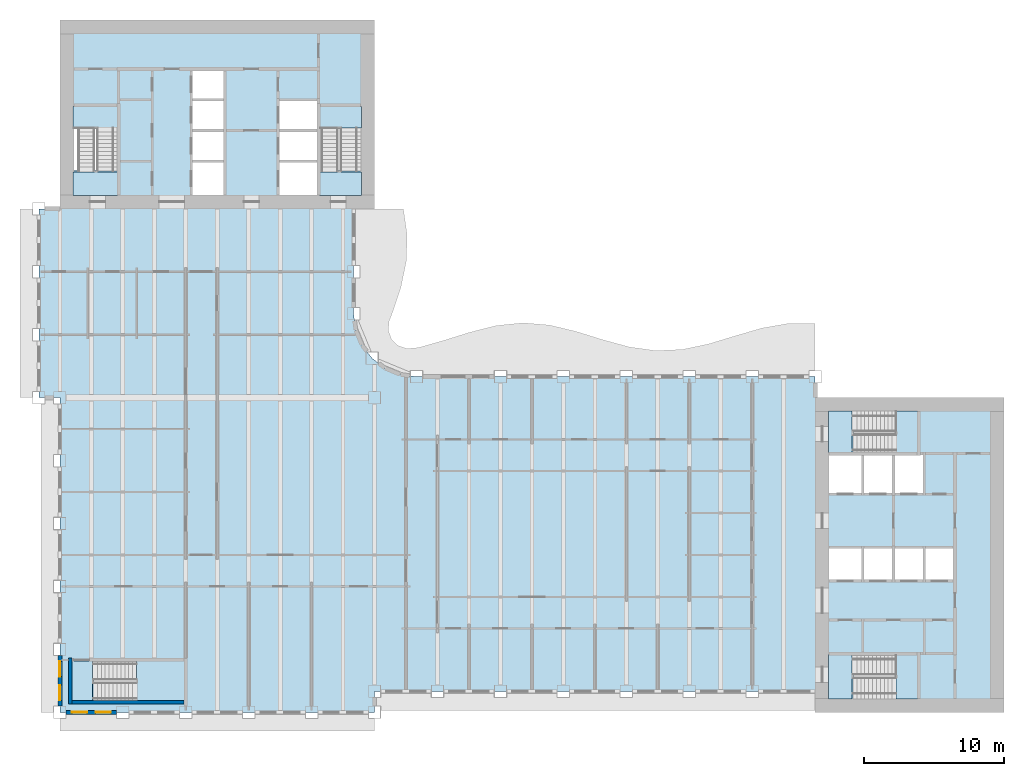
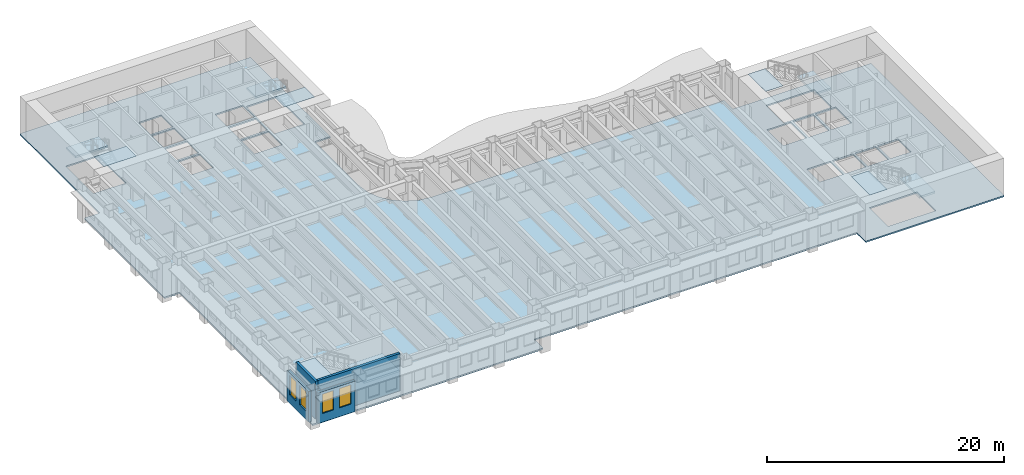
# One storey, part 2 of 16: 11 slabs, 4 walls, 4 windows, 4 openings, 5 elements without a shape of their own.
"""IFC4 building model written with IfcOpenShell, lengths in metres."""

from ifc_helpers import new_model, si_unit, direction, frame, frame_2d, origin, place, context, subcontext, project, spatial, polyline, rectangle, outline, extrude, material, layer, layer_set, type_object, element, fill, aggregate, save


model = new_model("IFC4")

# Units and contexts
model_context = context("Model", 3, precision=1e-05, world=origin(), true_north=direction((0.0, 1.0)))
body_context = subcontext(model_context, "Body", "Model", "MODEL_VIEW")
ifc_project = project(units=[si_unit("LENGTHUNIT", "METRE"), si_unit("AREAUNIT", "SQUARE_METRE"), si_unit("VOLUMEUNIT", "CUBIC_METRE"), si_unit("PLANEANGLEUNIT", "RADIAN"), si_unit("MASSUNIT", "GRAM", prefix="KILO")], contexts=[model_context])

# Site, building, storey
site_placement = place(None, origin())
site = spatial("IfcSite", under=ifc_project, at=site_placement, CompositionType="ELEMENT")
building_placement = place(site_placement, origin())
building = spatial("IfcBuilding", under=site, at=building_placement, Name="Sennacour Bend Tower", CompositionType="ELEMENT")
storey_placement = place(building_placement, frame((0.0, 0.0, 159.0)))
storey = spatial("IfcBuildingStorey", under=building, at=storey_placement, Name="L36", CompositionType="ELEMENT", Elevation=159.0)

# Slabs
ifc_material_1 = material(Name="Concrete C30/37", Category="concrete")
ifc_layer_1 = layer(ifc_material_1, 0.14990234375, Name="Concrete C30/37", Category="concrete")
ifc_layer_set_1 = layer_set([ifc_layer_1], Name="Concrete C30/37")
slab_type_1 = type_object("IfcSlabType", Name="Floor slab 150", PredefinedType="FLOOR", material=ifc_layer_set_1)
slab_1_placement = place(storey_placement, frame((0.0, 0.0, -0.14990234375)))
element("IfcSlab", 1, at=slab_1_placement, inside=storey, type_object=slab_type_1, Name="Floor slab L36-01", PredefinedType="FLOOR", context=body_context, shape_type="SweptSolid", body=[
    extrude(outline(polyline([(0.0, 22.5), (-1.5, 22.5), (-1.5, 36.0), (0.0, 36.0), (0.0, 49.5), (22.5, 49.5), (22.5, 36.0), (21.0, 36.0), (21.0, 28.5), (21.1533203125, 27.335205078125), (21.602783203125, 26.25), (22.318115234375, 25.318115234375), (23.25, 24.602783203125), (24.335205078125, 24.1533203125), (25.5, 24.0), (54.0, 24.0), (54.0, 22.5), (67.5, 22.5), (67.5, 0.0), (54.0, 0.0), (54.0, 1.5), (22.5, 1.5), (22.5, 0.0), (0.0, 0.0), (0.0, 22.5)]), holes=[polyline([(8.800048828125, 0.949951171875), (8.800048828125, 3.5), (2.429931640625, 3.5), (2.429931640625, 0.949951171875), (8.800048828125, 0.949951171875)]), polyline([(11.699951171875, 37.0), (11.699951171875, 39.300048828125), (9.5, 39.300048828125), (9.5, 37.0), (11.699951171875, 37.0)]), polyline([(18.39990234375, 37.0), (18.39990234375, 39.300048828125), (15.699951171875, 39.300048828125), (15.699951171875, 37.0), (18.39990234375, 37.0)]), polyline([(11.699951171875, 39.5), (11.699951171875, 41.5), (9.5, 41.5), (9.5, 39.5), (11.699951171875, 39.5)]), polyline([(18.39990234375, 39.5), (18.39990234375, 41.5), (15.699951171875, 41.5), (15.699951171875, 39.5), (18.39990234375, 39.5)]), polyline([(4.125, 38.72998046875), (4.125, 43.39990234375), (0.949951171875, 43.39990234375), (0.949951171875, 38.72998046875), (4.125, 38.72998046875)]), polyline([(21.550048828125, 38.72998046875), (21.550048828125, 43.39990234375), (18.574951171875, 43.39990234375), (18.574951171875, 38.72998046875), (21.550048828125, 38.72998046875)]), polyline([(9.5, 41.699951171875), (11.699951171875, 41.699951171875), (11.699951171875, 43.699951171875), (9.5, 43.699951171875), (9.5, 41.699951171875)]), polyline([(15.699951171875, 41.699951171875), (18.39990234375, 41.699951171875), (18.39990234375, 43.699951171875), (15.699951171875, 43.699951171875), (15.699951171875, 41.699951171875)]), polyline([(11.699951171875, 43.89990234375), (11.699951171875, 45.89990234375), (9.5, 45.89990234375), (9.5, 43.89990234375), (11.699951171875, 43.89990234375)]), polyline([(61.39990234375, 0.949951171875), (61.39990234375, 4.125), (56.72998046875, 4.125), (56.72998046875, 0.949951171875), (61.39990234375, 0.949951171875)]), polyline([(57.300048828125, 9.5), (57.300048828125, 11.699951171875), (55.0, 11.699951171875), (55.0, 9.5), (57.300048828125, 9.5)]), polyline([(57.5, 9.5), (59.5, 9.5), (59.5, 11.699951171875), (57.5, 11.699951171875), (57.5, 9.5)]), polyline([(59.699951171875, 9.5), (61.699951171875, 9.5), (61.699951171875, 11.699951171875), (59.699951171875, 11.699951171875), (59.699951171875, 9.5)]), polyline([(63.89990234375, 9.5), (63.89990234375, 11.699951171875), (61.89990234375, 11.699951171875), (61.89990234375, 9.5), (63.89990234375, 9.5)]), polyline([(57.300048828125, 15.699951171875), (57.300048828125, 18.39990234375), (55.0, 18.39990234375), (55.0, 15.699951171875), (57.300048828125, 15.699951171875)]), polyline([(59.5, 15.699951171875), (59.5, 18.39990234375), (57.5, 18.39990234375), (57.5, 15.699951171875), (59.5, 15.699951171875)]), polyline([(59.699951171875, 15.699951171875), (61.699951171875, 15.699951171875), (61.699951171875, 18.39990234375), (59.699951171875, 18.39990234375), (59.699951171875, 15.699951171875)]), polyline([(56.72998046875, 18.574951171875), (61.39990234375, 18.574951171875), (61.39990234375, 21.550048828125), (56.72998046875, 21.550048828125), (56.72998046875, 18.574951171875)])]), origin(), (0.0, 0.0, 1.0), 0.14990234375),
])
ifc_material_2 = material(Name="Concrete C40/50", Category="concrete")
ifc_layer_2 = layer(ifc_material_2, 0.034912109375, Name="Concrete C40/50", Category="concrete")
ifc_layer_set_2 = layer_set([ifc_layer_2], Name="Concrete C40/50")
slab_type_2 = type_object("IfcSlabType", Name="Stair arrival nib 35", PredefinedType="FLOOR", material=ifc_layer_set_2)
slab_2_placement = place(storey_placement, frame((0.0, 0.0, 3.815185546875)))
element("IfcSlab", 2, at=slab_2_placement, inside=storey, type_object=slab_type_2, Name="L36 SA1 stair arrival nib", PredefinedType="FLOOR", context=body_context, shape_type="SweptSolid", body=[
    extrude(outline(polyline([(56.64208984375, 4.125), (54.949951171875, 4.125), (54.949951171875, 0.949951171875), (56.64208984375, 0.949951171875), (56.64208984375, 4.125)])), origin(), (0.0, 0.0, 1.0), 0.034912109375),
])
slab_3_placement = place(storey_placement, frame((0.0, 0.0, 3.815185546875)))
element("IfcSlab", 3, at=slab_3_placement, inside=storey, type_object=slab_type_2, Name="L36 SA2 stair arrival nib", PredefinedType="FLOOR", context=body_context, shape_type="SweptSolid", body=[
    extrude(outline(polyline([(56.64208984375, 21.550048828125), (54.949951171875, 21.550048828125), (54.949951171875, 18.574951171875), (56.64208984375, 18.574951171875), (56.64208984375, 21.550048828125)])), origin(), (0.0, 0.0, 1.0), 0.034912109375),
])
slab_4_placement = place(storey_placement, frame((0.0, 0.0, 3.815185546875)))
element("IfcSlab", 4, at=slab_4_placement, inside=storey, type_object=slab_type_2, Name="L36 SB1 stair arrival nib", PredefinedType="FLOOR", context=body_context, shape_type="SweptSolid", body=[
    extrude(outline(polyline([(0.949951171875, 38.64208984375), (0.949951171875, 36.949951171875), (4.125, 36.949951171875), (4.125, 38.64208984375), (0.949951171875, 38.64208984375)])), origin(), (0.0, 0.0, 1.0), 0.034912109375),
])
slab_5_placement = place(storey_placement, frame((0.0, 0.0, 3.815185546875)))
element("IfcSlab", 5, at=slab_5_placement, inside=storey, type_object=slab_type_2, Name="L36 SB2 stair arrival nib", PredefinedType="FLOOR", context=body_context, shape_type="SweptSolid", body=[
    extrude(outline(polyline([(18.574951171875, 38.64208984375), (18.574951171875, 36.949951171875), (21.550048828125, 36.949951171875), (21.550048828125, 38.64208984375), (18.574951171875, 38.64208984375)])), origin(), (0.0, 0.0, 1.0), 0.034912109375),
])
slab_6_placement = place(storey_placement, frame((0.0, 0.0, 3.815185546875)))
element("IfcSlab", 6, at=slab_6_placement, inside=storey, type_object=slab_type_2, Name="L36 SK1 stair arrival nib", PredefinedType="FLOOR", context=body_context, shape_type="SweptSolid", body=[
    extrude(outline(polyline([(2.342041015625, 3.675048828125), (0.800048828125, 3.675048828125), (0.800048828125, 0.800048828125), (2.342041015625, 0.800048828125), (2.342041015625, 3.675048828125)])), origin(), (0.0, 0.0, 1.0), 0.034912109375),
])

# Stair, slab
stair_type = type_object("IfcStairType", Name="ST-DOGLEG", PredefinedType="HALF_TURN_STAIR", material=ifc_material_2)
stair_1_placement = place(storey_placement, origin())
stair_1 = element("IfcStair", 7, at=stair_1_placement, inside=storey, type_object=stair_type, Name="L36 Exit stair A1", PredefinedType="HALF_TURN_STAIR")
ifc_layer_3 = layer(ifc_material_2, 0.199951171875, Name="Concrete C40/50", Category="concrete")
ifc_layer_set_3 = layer_set([ifc_layer_3], Name="Concrete C40/50")
slab_type_3 = type_object("IfcSlabType", Name="Stair landing 200", PredefinedType="LANDING", material=ifc_layer_set_3)
slab_7_placement = place(storey_placement, frame((0.0, 0.0, 1.800048828125)))
slab_7 = element("IfcSlab", 8, at=slab_7_placement, type_object=slab_type_3, Name="SA1 landing 1", PredefinedType="LANDING", context=body_context, shape_type="SweptSolid", body=[
    extrude(outline(polyline([(59.780029296875, 0.949951171875), (61.324951171875, 0.949951171875), (61.324951171875, 4.125), (59.780029296875, 4.125), (59.780029296875, 0.949951171875)])), origin(), (0.0, 0.0, 1.0), 0.199951171875),
])
aggregate(stair_1, [slab_7])

stair_2_placement = place(storey_placement, origin())
stair_2 = element("IfcStair", 9, at=stair_2_placement, inside=storey, type_object=stair_type, Name="L36 Exit stair A2", PredefinedType="HALF_TURN_STAIR")
slab_8_placement = place(storey_placement, frame((0.0, 0.0, 1.800048828125)))
slab_8 = element("IfcSlab", 10, at=slab_8_placement, type_object=slab_type_3, Name="SA2 landing 1", PredefinedType="LANDING", context=body_context, shape_type="SweptSolid", body=[
    extrude(outline(polyline([(59.780029296875, 18.574951171875), (61.324951171875, 18.574951171875), (61.324951171875, 21.550048828125), (59.780029296875, 21.550048828125), (59.780029296875, 18.574951171875)])), origin(), (0.0, 0.0, 1.0), 0.199951171875),
])
aggregate(stair_2, [slab_8])

stair_3_placement = place(storey_placement, origin())
stair_3 = element("IfcStair", 11, at=stair_3_placement, inside=storey, type_object=stair_type, Name="L36 Exit stair B1", PredefinedType="HALF_TURN_STAIR")
slab_9_placement = place(storey_placement, frame((0.0, 0.0, 1.800048828125)))
slab_9 = element("IfcSlab", 12, at=slab_9_placement, type_object=slab_type_3, Name="SB1 landing 1", PredefinedType="LANDING", context=body_context, shape_type="SweptSolid", body=[
    extrude(outline(polyline([(0.949951171875, 41.780029296875), (4.125, 41.780029296875), (4.125, 43.324951171875), (0.949951171875, 43.324951171875), (0.949951171875, 41.780029296875)])), origin(), (0.0, 0.0, 1.0), 0.199951171875),
])
aggregate(stair_3, [slab_9])

stair_4_placement = place(storey_placement, origin())
stair_4 = element("IfcStair", 13, at=stair_4_placement, inside=storey, type_object=stair_type, Name="L36 Exit stair B2", PredefinedType="HALF_TURN_STAIR")
slab_10_placement = place(storey_placement, frame((0.0, 0.0, 1.800048828125)))
slab_10 = element("IfcSlab", 14, at=slab_10_placement, type_object=slab_type_3, Name="SB2 landing 1", PredefinedType="LANDING", context=body_context, shape_type="SweptSolid", body=[
    extrude(outline(polyline([(18.574951171875, 41.780029296875), (21.550048828125, 41.780029296875), (21.550048828125, 43.324951171875), (18.574951171875, 43.324951171875), (18.574951171875, 41.780029296875)])), origin(), (0.0, 0.0, 1.0), 0.199951171875),
])
aggregate(stair_4, [slab_10])

stair_5_placement = place(storey_placement, origin())
stair_5 = element("IfcStair", 15, at=stair_5_placement, inside=storey, type_object=stair_type, Name="L36 Exit stair K1", PredefinedType="HALF_TURN_STAIR")
slab_11_placement = place(storey_placement, frame((0.0, 0.0, 1.800048828125)))
slab_11 = element("IfcSlab", 16, at=slab_11_placement, type_object=slab_type_3, Name="SK1 landing 1", PredefinedType="LANDING", context=body_context, shape_type="SweptSolid", body=[
    extrude(outline(polyline([(5.47998046875, 0.800048828125), (8.925048828125, 0.800048828125), (8.925048828125, 3.675048828125), (5.47998046875, 3.675048828125), (5.47998046875, 0.800048828125)])), origin(), (0.0, 0.0, 1.0), 0.199951171875),
])
aggregate(stair_5, [slab_11])

# Wall, openings, windows
ifc_material_3 = material(Name="Warm limestone cladding", Category="masonry")
ifc_layer_4 = layer(ifc_material_3, 0.050048828125, Name="Warm limestone cladding", Category="masonry")
ifc_material_4 = material(Name="Precast concrete C40/50", Category="concrete")
ifc_layer_5 = layer(ifc_material_4, 0.25, Name="Precast concrete C40/50", Category="concrete")
ifc_layer_set_4 = layer_set([ifc_layer_4, ifc_layer_5], Name="Precast concrete C40/50 with limestone cladding")
wall_type_1 = type_object("IfcWallType", Name="STONE-CLAD PRECAST SPANDREL 300", PredefinedType="STANDARD", material=ifc_layer_set_4)
wall_1_placement = place(storey_placement, frame((0.449951171875, 0.0, 0.0), z_axis=(0.0, 0.0, 1.0), x_axis=(1.0, 0.0, 0.0)))
wall_1 = element("IfcWall", 17, at=wall_1_placement, inside=storey, type_object=wall_type_1, Name="Stone spandrel and pier wall L36 00.00", PredefinedType="STANDARD", context=body_context, shape_type="SweptSolid", body=[
    extrude(rectangle(XDim=3.60009765625, YDim=0.300048828125, at=frame_2d((1.800048828125, 0.0))), origin(), (0.0, 0.0, 1.0), 3.14892578125),
])
opening_1_placement = place(wall_1_placement, frame((0.39990234375, 0.0, 0.89990234375)))
opening_1 = element("IfcOpeningElement", 18, at=opening_1_placement, cuts=wall_1, Name="Opening W19", PredefinedType="OPENING", context=body_context, shape_type="SweptSolid", body=[
    extrude(rectangle(XDim=1.10009765625, YDim=2.0, at=frame_2d((0.550048828125, 1.0))), frame((0.0, 0.16015625, 0.0), z_axis=(0.0, -1.0, 0.0), x_axis=(1.0, 0.0, 0.0)), (0.0, 0.0, 1.0), 0.320068359375),
])
opening_2_placement = place(wall_1_placement, frame((2.10009765625, 0.0, 0.89990234375)))
opening_2 = element("IfcOpeningElement", 19, at=opening_2_placement, cuts=wall_1, Name="Opening W19", PredefinedType="OPENING", context=body_context, shape_type="SweptSolid", body=[
    extrude(rectangle(XDim=1.10009765625, YDim=2.0, at=frame_2d((0.550048828125, 1.0))), frame((0.0, 0.16015625, 0.0), z_axis=(0.0, -1.0, 0.0), x_axis=(1.0, 0.0, 0.0)), (0.0, 0.0, 1.0), 0.320068359375),
])
ifc_material_5 = material(Name="Clear low-emissivity glass", Category="glass")
window_type = type_object("IfcWindowType", Name="WIN-RIBBON-1100x2000", PartitioningType="SINGLE_PANEL", PredefinedType="WINDOW", material=ifc_material_5)
window_1_placement = place(opening_1_placement, origin())
window_1 = element("IfcWindow", 20, at=window_1_placement, inside=storey, type_object=window_type, Name="Ribbon window L36 00.00.0", OverallHeight=2.0, OverallWidth=1.10009765625, PartitioningType="SINGLE_PANEL", PredefinedType="WINDOW", context=body_context, shape_type="SweptSolid", body=[
    extrude(rectangle(XDim=1.10009765625, YDim=2.0, at=frame_2d((0.550048828125, 1.0))), frame((0.0, 0.030029296875, 0.0), z_axis=(0.0, -1.0, 0.0), x_axis=(1.0, 0.0, 0.0)), (0.0, 0.0, 1.0), 0.06005859375),
])
fill(opening_1, window_1)
window_2_placement = place(opening_2_placement, origin())
window_2 = element("IfcWindow", 21, at=window_2_placement, inside=storey, type_object=window_type, Name="Ribbon window L36 00.00.1", OverallHeight=2.0, OverallWidth=1.10009765625, PartitioningType="SINGLE_PANEL", PredefinedType="WINDOW", context=body_context, shape_type="SweptSolid", body=[
    extrude(rectangle(XDim=1.10009765625, YDim=2.0, at=frame_2d((0.550048828125, 1.0))), frame((0.0, 0.030029296875, 0.0), z_axis=(0.0, -1.0, 0.0), x_axis=(1.0, 0.0, 0.0)), (0.0, 0.0, 1.0), 0.06005859375),
])
fill(opening_2, window_2)

wall_2_placement = place(storey_placement, frame((0.0, 4.050048828125, 0.0), z_axis=(0.0, 0.0, 1.0), x_axis=(0.0, -1.0, 0.0)))
wall_2 = element("IfcWall", 22, at=wall_2_placement, inside=storey, type_object=wall_type_1, Name="Stone spandrel and pier wall L36 23.04", PredefinedType="STANDARD", context=body_context, shape_type="SweptSolid", body=[
    extrude(rectangle(XDim=3.60009765625, YDim=0.300048828125, at=frame_2d((1.800048828125, 0.0))), origin(), (0.0, 0.0, 1.0), 3.14892578125),
])
opening_3_placement = place(wall_2_placement, frame((0.39990234375, 0.0, 0.89990234375)))
opening_3 = element("IfcOpeningElement", 23, at=opening_3_placement, cuts=wall_2, Name="Opening W19", PredefinedType="OPENING", context=body_context, shape_type="SweptSolid", body=[
    extrude(rectangle(XDim=1.10009765625, YDim=2.0, at=frame_2d((0.550048828125, 1.0))), frame((0.0, 0.16015625, 0.0), z_axis=(0.0, -1.0, 0.0), x_axis=(1.0, 0.0, 0.0)), (0.0, 0.0, 1.0), 0.320068359375),
])
opening_4_placement = place(wall_2_placement, frame((2.10009765625, 0.0, 0.89990234375)))
opening_4 = element("IfcOpeningElement", 24, at=opening_4_placement, cuts=wall_2, Name="Opening W19", PredefinedType="OPENING", context=body_context, shape_type="SweptSolid", body=[
    extrude(rectangle(XDim=1.10009765625, YDim=2.0, at=frame_2d((0.550048828125, 1.0))), frame((0.0, 0.16015625, 0.0), z_axis=(0.0, -1.0, 0.0), x_axis=(1.0, 0.0, 0.0)), (0.0, 0.0, 1.0), 0.320068359375),
])
window_3_placement = place(opening_3_placement, origin())
window_3 = element("IfcWindow", 25, at=window_3_placement, inside=storey, type_object=window_type, Name="Ribbon window L36 23.04.0", OverallHeight=2.0, OverallWidth=1.10009765625, PartitioningType="SINGLE_PANEL", PredefinedType="WINDOW", context=body_context, shape_type="SweptSolid", body=[
    extrude(rectangle(XDim=1.10009765625, YDim=2.0, at=frame_2d((0.550048828125, 1.0))), frame((0.0, 0.030029296875, 0.0), z_axis=(0.0, -1.0, 0.0), x_axis=(1.0, 0.0, 0.0)), (0.0, 0.0, 1.0), 0.06005859375),
])
fill(opening_3, window_3)
window_4_placement = place(opening_4_placement, origin())
window_4 = element("IfcWindow", 26, at=window_4_placement, inside=storey, type_object=window_type, Name="Ribbon window L36 23.04.1", OverallHeight=2.0, OverallWidth=1.10009765625, PartitioningType="SINGLE_PANEL", PredefinedType="WINDOW", context=body_context, shape_type="SweptSolid", body=[
    extrude(rectangle(XDim=1.10009765625, YDim=2.0, at=frame_2d((0.550048828125, 1.0))), frame((0.0, 0.030029296875, 0.0), z_axis=(0.0, -1.0, 0.0), x_axis=(1.0, 0.0, 0.0)), (0.0, 0.0, 1.0), 0.06005859375),
])
fill(opening_4, window_4)

# Walls
ifc_material_6 = material(Name="Concrete C60/75", Category="concrete")
ifc_layer_6 = layer(ifc_material_6, 0.25, Name="Concrete C60/75", Category="concrete")
ifc_layer_set_5 = layer_set([ifc_layer_6], Name="Concrete C60/75")
wall_type_2 = type_object("IfcWallType", Name="Stair wall 250", PredefinedType="SHEAR", material=ifc_layer_set_5)
wall_3_placement = place(storey_placement, frame((0.72509765625, 0.60009765625, 0.0), z_axis=(0.0, 0.0, 1.0), x_axis=(0.0, 1.0, 0.0)))
element("IfcWall", 27, at=wall_3_placement, inside=storey, type_object=wall_type_2, Name="P-L36-W003", PredefinedType="SHEAR", context=body_context, shape_type="SweptSolid", body=[
    extrude(rectangle(XDim=3.27490234375, YDim=0.25, at=frame_2d((1.637451171875, 0.0))), origin(), (0.0, 0.0, 1.0), 3.85009765625),
])
wall_4_placement = place(storey_placement, frame((0.85009765625, 0.72509765625, 0.0), z_axis=(0.0, 0.0, 1.0), x_axis=(1.0, 0.0, 0.0)))
element("IfcWall", 28, at=wall_4_placement, inside=storey, type_object=wall_type_2, Name="P-L36-W052", PredefinedType="SHEAR", context=body_context, shape_type="SweptSolid", body=[
    extrude(rectangle(XDim=8.02490234375, YDim=0.25, at=frame_2d((4.012451171875, 0.0))), origin(), (0.0, 0.0, 1.0), 3.85009765625),
])

save(model, "model.ifc")
